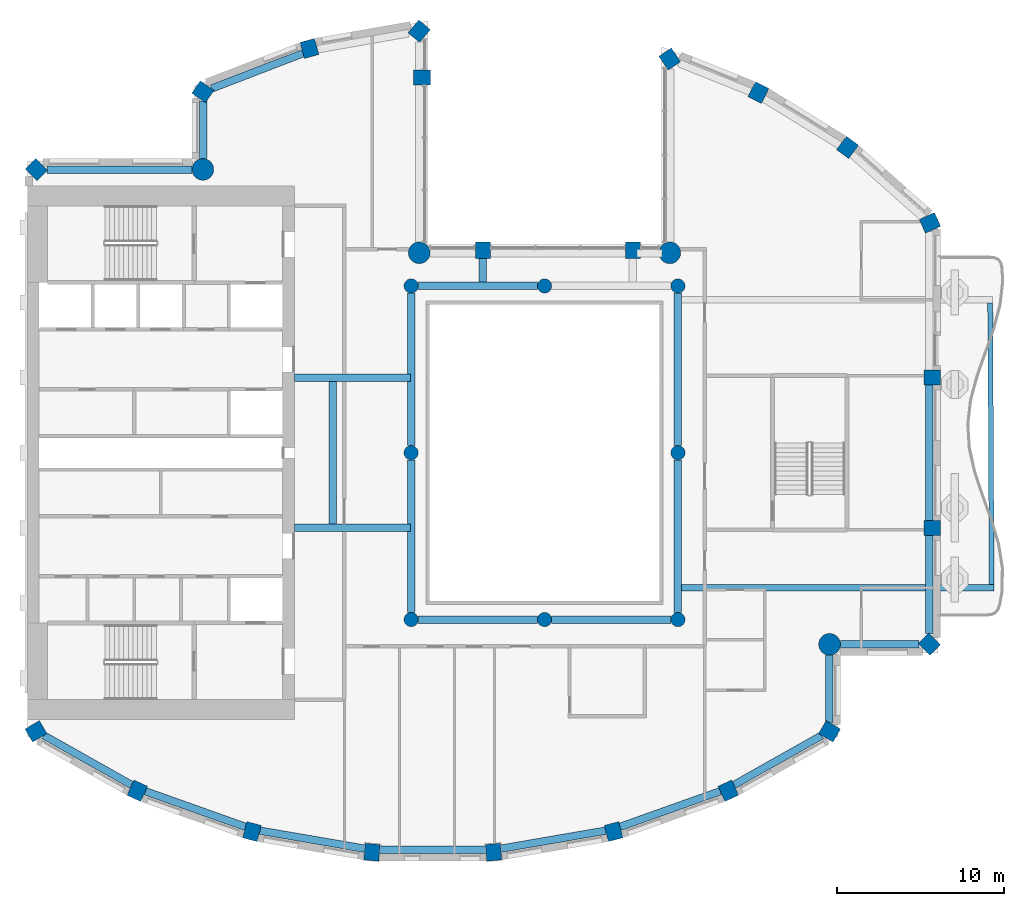
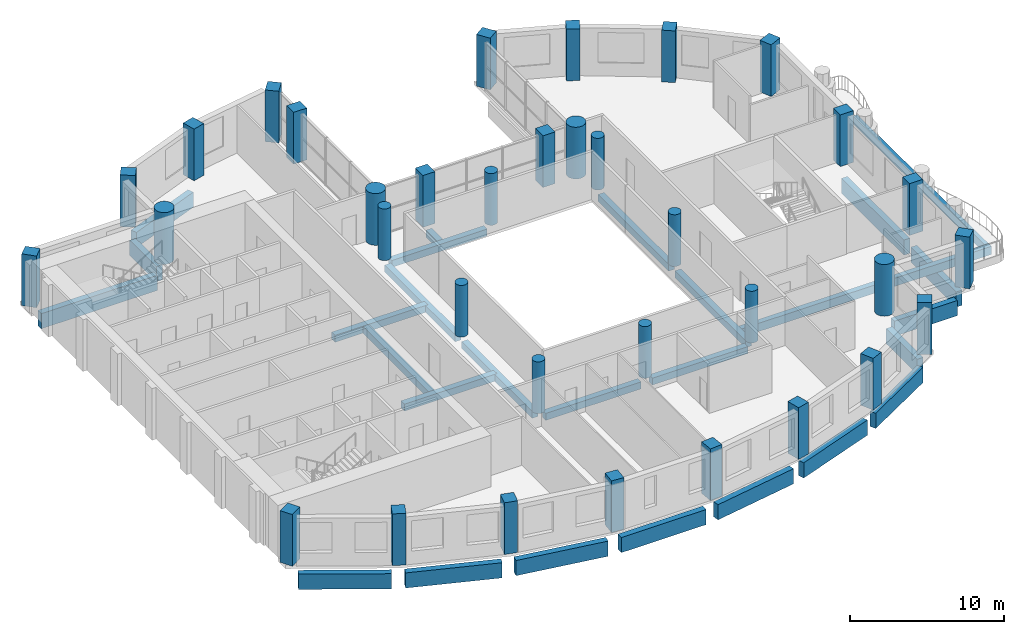
# One storey, part 1 of 15: 34 columns, 27 beams.
"""IFC4 building model written with IfcOpenShell, lengths in metres."""

from ifc_helpers import new_model, si_unit, direction, frame, origin, origin_2d, place, context, subcontext, project, spatial, rectangle, circle, extrude, material, material_profile, profile_set, type_object, element, save


model = new_model("IFC4")

# Units and contexts
model_context = context("Model", 3, precision=1e-05, world=origin(), true_north=direction((0.0, 1.0)))
body_context = subcontext(model_context, "Body", "Model", "MODEL_VIEW")
ifc_project = project(units=[si_unit("LENGTHUNIT", "METRE"), si_unit("AREAUNIT", "SQUARE_METRE"), si_unit("VOLUMEUNIT", "CUBIC_METRE"), si_unit("PLANEANGLEUNIT", "RADIAN"), si_unit("MASSUNIT", "GRAM", prefix="KILO")], contexts=[model_context])

# Site, building, storey
site_placement = place(None, origin())
site = spatial("IfcSite", under=ifc_project, at=site_placement, CompositionType="ELEMENT")
building_placement = place(site_placement, origin())
building = spatial("IfcBuilding", under=site, at=building_placement, Name="Cypress Arch Tower", CompositionType="ELEMENT")
storey_placement = place(building_placement, frame((0.0, 0.0, 292.60009765625)))
storey = spatial("IfcBuildingStorey", under=building, at=storey_placement, Name="L66", CompositionType="ELEMENT", Elevation=292.60009765625)

# Columns
ifc_material_1 = material(Name="Concrete C60/75", Category="concrete")
ifc_material_profile_1 = material_profile(ifc_material_1, rectangle(XDim=0.89990234375, YDim=1.0, at=origin_2d()), Name="RC 900x1000")
ifc_profile_set_1 = profile_set([ifc_material_profile_1], Name="Concrete C60/75")
column_type_1 = type_object("IfcColumnType", Name="Column RC 900x1000 Concrete C60/75", PredefinedType="COLUMN", material=ifc_profile_set_1)
for number, where, z_axis, x_axis, name in (
    (1, (8.5029296875, 23.606201171875, 0.0), (0.0, 0.0, 1.0), (-0.828469606019, -0.560034027451, 0.0), "Column L66 CC00"),
    (2, (6.300048828125, 12.14990234375, 0.0), (0.0, 0.0, 1.0), (-1.0, 0.0, 0.0), "Column L66 CC02"),
    (3, (-2.699951171875, 12.14990234375, 0.0), (0.0, 0.0, 1.0), (-1.0, 0.0, 0.0), "Column L66 CC03"),
    (4, (-6.35009765625, 22.5, 0.0), (0.0, 0.0, 1.0), (0.0, 1.0, 0.0), "Column L66 CC05"),
    (5, (-6.51611328125, 25.27490234375, 0.0), (0.0, 0.0, 1.0), (-0.766063514674, 0.642764880407, 0.0), "Column L66 CC06"),
    (6, (-13.0947265625, 24.241455078125, 0.0), (0.0, 0.0, 1.0), (-0.96345574646, -0.267867550506, 0.0), "Column L66 CC07"),
    (7, (-19.483154296875, 21.645263671875, 0.0), (0.0, 0.0, 1.0), (-0.565892599589, -0.824478966215, 0.0), "Column L66 CC08"),
    (8, (-29.478271484375, 16.978271484375, 0.0), (0.0, 0.0, 1.0), (-0.707106781187, -0.707106781187, 0.0), "Column L66 CC10"),
    (9, (-29.4912109375, -16.702880859375, 0.0), (0.0, 0.0, 1.0), (0.504399289829, -0.86347053014, 0.0), "Column L66 CC11"),
    (10, (-23.4189453125, -20.266845703125, 0.0), (0.0, 0.0, 1.0), (0.909932071487, -0.414757308891, 0.0), "Column L66 CC12"),
    (11, (-16.541748046875, -22.714599609375, 0.0), (0.0, 0.0, 1.0), (0.96735573689, -0.2534223319, 0.0), "Column L66 CC13"),
    (12, (-9.346923828125, -23.95361328125, 0.0), (0.0, 0.0, 1.0), (0.996368206733, -0.085149260784, 0.0), "Column L66 CC14"),
    (13, (-2.052978515625, -23.95361328125, 0.0), (0.0, 0.0, 1.0), (0.996368206733, 0.085149260784, 0.0), "Column L66 CC15"),
    (14, (5.1416015625, -22.714599609375, 0.0), (0.0, 0.0, 1.0), (0.96735573689, 0.2534223319, 0.0), "Column L66 CC16"),
    (15, (12.01904296875, -20.266845703125, 0.0), (0.0, 0.0, 1.0), (0.909932071487, 0.414757308891, 0.0), "Column L66 CC17"),
    (16, (18.09130859375, -16.702880859375, 0.0), (0.0, 0.0, 1.0), (0.504399289829, 0.86347053014, 0.0), "Column L66 CC18"),
    (17, (24.078369140625, -11.478271484375, 0.0), (0.0, 0.0, 1.0), (0.707106781187, 0.707106781187, 0.0), "Column L66 CC20"),
    (18, (24.25, -4.5, 0.0), (0.0, 0.0, 1.0), (0.0, 1.0, 0.0), "Column L66 CC21"),
    (19, (24.25, 4.5, 0.0), (0.0, 0.0, 1.0), (0.0, 1.0, 0.0), "Column L66 CC22"),
    (20, (24.109619140625, 13.77978515625, 0.0), (0.0, 0.0, 1.0), (-0.409765058504, 0.912191096662, 0.0), "Column L66 CC23"),
    (21, (19.168212890625, 18.307861328125, 0.0), (0.0, 0.0, 1.0), (-0.802798546114, 0.596250362144, 0.0), "Column L66 CC24"),
    (22, (13.82568359375, 21.59375, 0.0), (0.0, 0.0, 1.0), (-0.893106499805, 0.44984528452, 0.0), "Column L66 CC25"),
):
    element("IfcColumn", number, at=place(storey_placement, frame(where, z_axis=z_axis, x_axis=x_axis)), inside=storey, type_object=column_type_1, Name=name, PredefinedType="COLUMN", context=body_context, shape_type="SweptSolid", body=[
        extrude(rectangle(XDim=0.89990234375, YDim=1.0, at=origin_2d()), origin(), (0.0, 0.0, 1.0), 4.099853515625),
    ])
ifc_material_2 = material(Name="Concrete C60/75", Category="concrete")
ifc_material_profile_2 = material_profile(ifc_material_2, circle(Radius=0.425048828125, at=origin_2d()), Name="RC D850")
ifc_profile_set_2 = profile_set([ifc_material_profile_2], Name="Concrete C60/75")
column_type_2 = type_object("IfcColumnType", Name="Column RC D850 Concrete C60/75", PredefinedType="COLUMN", material=ifc_profile_set_2)
for number, where, z_axis, x_axis, name in (
    (23, (-7.0, -10.0, 0.0), (0.0, 0.0, 1.0), (1.0, 0.0, 0.0), "Column L66 RNG-L66-G-7-10"),
    (24, (-7.0, 0.0, 0.0), (0.0, 0.0, 1.0), (1.0, 0.0, 0.0), "Column L66 RNG-L66-G-7+0"),
    (25, (-7.0, 10.0, 0.0), (0.0, 0.0, 1.0), (1.0, 0.0, 0.0), "Column L66 RNG-L66-G-7+10"),
    (26, (1.0, -10.0, 0.0), (0.0, 0.0, 1.0), (1.0, 0.0, 0.0), "Column L66 RNG-L66-G+1-10"),
    (27, (1.0, 10.0, 0.0), (0.0, 0.0, 1.0), (1.0, 0.0, 0.0), "Column L66 RNG-L66-G+1+10"),
    (28, (9.0, -10.0, 0.0), (0.0, 0.0, 1.0), (1.0, 0.0, 0.0), "Column L66 RNG-L66-G+9-10"),
    (29, (9.0, 0.0, 0.0), (0.0, 0.0, 1.0), (1.0, 0.0, 0.0), "Column L66 RNG-L66-G+9+0"),
    (30, (9.0, 10.0, 0.0), (0.0, 0.0, 1.0), (1.0, 0.0, 0.0), "Column L66 RNG-L66-G+9+10"),
):
    element("IfcColumn", number, at=place(storey_placement, frame(where, z_axis=z_axis, x_axis=x_axis)), inside=storey, type_object=column_type_2, Name=name, PredefinedType="COLUMN", context=body_context, shape_type="SweptSolid", body=[
        extrude(circle(Radius=0.425048828125, at=origin_2d()), origin(), (0.0, 0.0, 1.0), 4.099853515625),
    ])
ifc_material_3 = material(Name="Concrete C60/75", Category="concrete")
ifc_material_profile_3 = material_profile(ifc_material_3, circle(Radius=0.64990234375, at=origin_2d()), Name="RC D1300")
ifc_profile_set_3 = profile_set([ifc_material_profile_3], Name="Concrete C60/75")
column_type_3 = type_object("IfcColumnType", Name="Mega-column RC D1300 Concrete C60/75", PredefinedType="COLUMN", material=ifc_profile_set_3)
for number, where, z_axis, x_axis, name in (
    (31, (8.51220703125, 11.98779296875, 0.0), (0.0, 0.0, 1.0), (1.0, 0.0, 0.0), "Column L66 CC01"),
    (32, (-6.51220703125, 11.98779296875, 0.0), (0.0, 0.0, 1.0), (1.0, 0.0, 0.0), "Column L66 CC04"),
    (33, (-19.48779296875, 16.98779296875, 0.0), (0.0, 0.0, 1.0), (1.0, 0.0, 0.0), "Column L66 CC09"),
    (34, (18.087890625, -11.48779296875, 0.0), (0.0, 0.0, 1.0), (1.0, 0.0, 0.0), "Column L66 CC19"),
):
    element("IfcColumn", number, at=place(storey_placement, frame(where, z_axis=z_axis, x_axis=x_axis)), inside=storey, type_object=column_type_3, Name=name, PredefinedType="COLUMN", context=body_context, shape_type="SweptSolid", body=[
        extrude(circle(Radius=0.64990234375, at=origin_2d()), origin(), (0.0, 0.0, 1.0), 4.099853515625),
    ])

# Beams
ifc_material_4 = material(Name="Concrete C50/60", Category="concrete")
ifc_material_profile_4 = material_profile(ifc_material_4, rectangle(XDim=0.300048828125, YDim=0.64990234375, at=origin_2d()), Name="RC 300x650")
ifc_profile_set_4 = profile_set([ifc_material_profile_4], Name="Concrete C50/60")
beam_type_1 = type_object("IfcBeamType", Name="Balcony edge beam RC 300x650 Concrete C50/60", PredefinedType="BEAM", material=ifc_profile_set_4)
beam_1_placement = place(storey_placement, frame((27.810302734375, -7.89990234375, -0.625), z_axis=(-0.005307151473, 0.999985916972, 0.0), x_axis=(-0.999985916972, -0.005307151473, 0.0)))
element("IfcBeam", 35, at=beam_1_placement, inside=storey, type_object=beam_type_1, Name="Balcony edge beam L66 C17", PredefinedType="BEAM", context=body_context, shape_type="SweptSolid", body=[
    extrude(rectangle(XDim=0.300048828125, YDim=0.64990234375, at=origin_2d()), origin(), (0.0, 0.0, 1.0), 16.8828125),
])
ifc_material_5 = material(Name="Concrete C50/60", Category="concrete")
ifc_material_profile_5 = material_profile(ifc_material_5, rectangle(XDim=0.39990234375, YDim=0.64990234375, at=origin_2d()), Name="RC 400x650")
ifc_profile_set_5 = profile_set([ifc_material_profile_5], Name="Concrete C50/60")
beam_type_2 = type_object("IfcBeamType", Name="Cantilever beam RC 400x650 Concrete C50/60", PredefinedType="BEAM", material=ifc_profile_set_5)
beam_2_placement = place(storey_placement, frame((9.22509765625, -8.10009765625, -0.625), z_axis=(1.0, 0.0, 0.0), x_axis=(0.0, 1.0, 0.0)))
element("IfcBeam", 36, at=beam_2_placement, inside=storey, type_object=beam_type_2, Name="Cantilever beam L66 C17 1", PredefinedType="BEAM", context=body_context, shape_type="SweptSolid", body=[
    extrude(rectangle(XDim=0.39990234375, YDim=0.64990234375, at=origin_2d()), origin(), (0.0, 0.0, 1.0), 18.7353515625),
])
ifc_material_6 = material(Name="Concrete C50/60", Category="concrete")
ifc_material_profile_6 = material_profile(ifc_material_6, rectangle(XDim=0.449951171875, YDim=0.550048828125, at=origin_2d()), Name="RC 450x550")
ifc_profile_set_6 = profile_set([ifc_material_profile_6], Name="Concrete C50/60")
beam_type_3 = type_object("IfcBeamType", Name="Floor beam RC 450x550 Concrete C50/60", PredefinedType="BEAM", material=ifc_profile_set_6)
for number, where, z_axis, x_axis, name in (
    (37, (-7.0, -9.574951171875, -0.5751953125), (0.0, 1.0, 0.0), (-1.0, 0.0, 0.0), "Floor beam L66 RB001"),
    (38, (-7.0, 0.425048828125, -0.5751953125), (0.0, 1.0, 0.0), (-1.0, 0.0, 0.0), "Floor beam L66 RB002"),
    (39, (9.0, -9.574951171875, -0.5751953125), (0.0, 1.0, 0.0), (-1.0, 0.0, 0.0), "Floor beam L66 RB003"),
    (40, (9.0, 0.425048828125, -0.5751953125), (0.0, 1.0, 0.0), (-1.0, 0.0, 0.0), "Floor beam L66 RB004"),
):
    element("IfcBeam", number, at=place(storey_placement, frame(where, z_axis=z_axis, x_axis=x_axis)), inside=storey, type_object=beam_type_3, Name=name, PredefinedType="BEAM", context=body_context, shape_type="SweptSolid", body=[
        extrude(rectangle(XDim=0.449951171875, YDim=0.550048828125, at=origin_2d()), origin(), (0.0, 0.0, 1.0), 9.14990234375),
    ])
for number, where, z_axis, x_axis, name in (
    (41, (-6.574951171875, -10.0, -0.5751953125), (1.0, 0.0, 0.0), (0.0, 1.0, 0.0), "Floor beam L66 RB005"),
    (42, (1.425048828125, -10.0, -0.5751953125), (1.0, 0.0, 0.0), (0.0, 1.0, 0.0), "Floor beam L66 RB006"),
    (43, (-6.574951171875, 10.0, -0.5751953125), (1.0, 0.0, 0.0), (0.0, 1.0, 0.0), "Floor beam L66 RB007"),
):
    element("IfcBeam", number, at=place(storey_placement, frame(where, z_axis=z_axis, x_axis=x_axis)), inside=storey, type_object=beam_type_3, Name=name, PredefinedType="BEAM", context=body_context, shape_type="SweptSolid", body=[
        extrude(rectangle(XDim=0.449951171875, YDim=0.550048828125, at=origin_2d()), origin(), (0.0, 0.0, 1.0), 7.14990234375),
    ])
for number, where, z_axis, x_axis, name in (
    (44, (-14.0, -4.5, -0.5751953125), (1.0, 0.0, 0.0), (0.0, 1.0, 0.0), "Floor beam L66 FB009"),
    (45, (-14.0, 4.5, -0.5751953125), (1.0, 0.0, 0.0), (0.0, 1.0, 0.0), "Floor beam L66 FB010"),
):
    element("IfcBeam", number, at=place(storey_placement, frame(where, z_axis=z_axis, x_axis=x_axis)), inside=storey, type_object=beam_type_3, Name=name, PredefinedType="BEAM", context=body_context, shape_type="SweptSolid", body=[
        extrude(rectangle(XDim=0.449951171875, YDim=0.550048828125, at=origin_2d()), origin(), (0.0, 0.0, 1.0), 6.949951171875),
    ])
beam_3_placement = place(storey_placement, frame((-11.699951171875, -4.27490234375, -0.5751953125), z_axis=(0.0, 1.0, 0.0), x_axis=(-1.0, 0.0, 0.0)))
element("IfcBeam", 46, at=beam_3_placement, inside=storey, type_object=beam_type_3, Name="Floor beam L66 FB011", PredefinedType="BEAM", context=body_context, shape_type="SweptSolid", body=[
    extrude(rectangle(XDim=0.449951171875, YDim=0.550048828125, at=origin_2d()), origin(), (0.0, 0.0, 1.0), 8.5498046875),
])
beam_4_placement = place(storey_placement, frame((-2.699951171875, 10.22509765625, -0.5751953125), z_axis=(0.0, 1.0, 0.0), x_axis=(-1.0, 0.0, 0.0)))
element("IfcBeam", 47, at=beam_4_placement, inside=storey, type_object=beam_type_3, Name="Floor beam L66 FB012", PredefinedType="BEAM", context=body_context, shape_type="SweptSolid", body=[
    extrude(rectangle(XDim=0.449951171875, YDim=0.550048828125, at=origin_2d()), origin(), (0.0, 0.0, 1.0), 1.4248046875),
])
ifc_material_7 = material(Name="Concrete C50/60", Category="concrete")
ifc_material_profile_7 = material_profile(ifc_material_7, rectangle(XDim=0.449951171875, YDim=1.199951171875, at=origin_2d()), Name="RC 450x1200")
ifc_profile_set_7 = profile_set([ifc_material_profile_7], Name="Concrete C50/60")
beam_type_4 = type_object("IfcBeamType", Name="Spandrel beam RC 450x1200 Concrete C50/60", PredefinedType="SPANDREL", material=ifc_profile_set_7)
beam_5_placement = place(storey_placement, frame((-13.48046875, 23.94921875, -1.550048828125), z_axis=(-0.933138853319, -0.359516175472, 0.0), x_axis=(0.359516175472, -0.933138853319, 0.0)))
element("IfcBeam", 48, at=beam_5_placement, inside=storey, type_object=beam_type_4, Name="Spandrel beam L66 BC04-0", PredefinedType="SPANDREL", context=body_context, shape_type="SweptSolid", body=[
    extrude(rectangle(XDim=0.449951171875, YDim=1.199951171875, at=origin_2d()), origin(), (0.0, 0.0, 1.0), 5.878173828125),
])
beam_6_placement = place(storey_placement, frame((-19.47509765625, 21.09375, -1.550048828125), z_axis=(0.0, -1.0, 0.0), x_axis=(1.0, 0.0, 0.0)))
element("IfcBeam", 49, at=beam_6_placement, inside=storey, type_object=beam_type_4, Name="Spandrel beam L66 BC05-0", PredefinedType="SPANDREL", context=body_context, shape_type="SweptSolid", body=[
    extrude(rectangle(XDim=0.449951171875, YDim=1.199951171875, at=origin_2d()), origin(), (0.0, 0.0, 1.0), 3.456298828125),
])
beam_7_placement = place(storey_placement, frame((-20.137451171875, 16.97509765625, -1.550048828125), z_axis=(-1.0, 0.0, 0.0), x_axis=(0.0, -1.0, 0.0)))
element("IfcBeam", 50, at=beam_7_placement, inside=storey, type_object=beam_type_4, Name="Spandrel beam L66 BC06-0", PredefinedType="SPANDREL", context=body_context, shape_type="SweptSolid", body=[
    extrude(rectangle(XDim=0.449951171875, YDim=1.199951171875, at=origin_2d()), origin(), (0.0, 0.0, 1.0), 8.701171875),
])
beam_8_placement = place(storey_placement, frame((-29.02099609375, -16.94921875, -1.550048828125), z_axis=(0.871059543975, -0.491177433165, 0.0), x_axis=(0.491177433165, 0.871059543975, 0.0)))
element("IfcBeam", 51, at=beam_8_placement, inside=storey, type_object=beam_type_4, Name="Spandrel beam L66 BC08-0", PredefinedType="SPANDREL", context=body_context, shape_type="SweptSolid", body=[
    extrude(rectangle(XDim=0.449951171875, YDim=1.199951171875, at=origin_2d()), origin(), (0.0, 0.0, 1.0), 6.045654296875),
])
beam_9_placement = place(storey_placement, frame((-22.93603515625, -20.2919921875, -1.550048828125), z_axis=(0.942120065582, -0.33527568064, 0.0), x_axis=(0.33527568064, 0.942120065582, 0.0)))
element("IfcBeam", 52, at=beam_9_placement, inside=storey, type_object=beam_type_4, Name="Spandrel beam L66 BC09-0", PredefinedType="SPANDREL", context=body_context, shape_type="SweptSolid", body=[
    extrude(rectangle(XDim=0.449951171875, YDim=1.199951171875, at=origin_2d()), origin(), (0.0, 0.0, 1.0), 6.373046875),
])
beam_10_placement = place(storey_placement, frame((-16.061279296875, -22.656982421875, -1.550048828125), z_axis=(0.985502990778, -0.169658053646, 0.0), x_axis=(0.169658053646, 0.985502990778, 0.0)))
element("IfcBeam", 53, at=beam_10_placement, inside=storey, type_object=beam_type_4, Name="Spandrel beam L66 BC10-0", PredefinedType="SPANDREL", context=body_context, shape_type="SweptSolid", body=[
    extrude(rectangle(XDim=0.449951171875, YDim=1.199951171875, at=origin_2d()), origin(), (0.0, 0.0, 1.0), 6.373291015625),
])
beam_11_placement = place(storey_placement, frame((-8.883544921875, -23.81494140625, -1.550048828125), z_axis=(1.0, 0.0, 0.0), x_axis=(0.0, 1.0, 0.0)))
element("IfcBeam", 54, at=beam_11_placement, inside=storey, type_object=beam_type_4, Name="Spandrel beam L66 BC11-0", PredefinedType="SPANDREL", context=body_context, shape_type="SweptSolid", body=[
    extrude(rectangle(XDim=0.449951171875, YDim=1.199951171875, at=origin_2d()), origin(), (0.0, 0.0, 1.0), 6.366943359375),
])
beam_12_placement = place(storey_placement, frame((-1.619873046875, -23.73828125, -1.550048828125), z_axis=(0.985504093315, 0.169651649149, 0.0), x_axis=(-0.169651649149, 0.985504093315, 0.0)))
element("IfcBeam", 55, at=beam_12_placement, inside=storey, type_object=beam_type_4, Name="Spandrel beam L66 BC12-0", PredefinedType="SPANDREL", context=body_context, shape_type="SweptSolid", body=[
    extrude(rectangle(XDim=0.449951171875, YDim=1.199951171875, at=origin_2d()), origin(), (0.0, 0.0, 1.0), 6.37353515625),
])
beam_13_placement = place(storey_placement, frame((5.531982421875, -22.4287109375, -1.550048828125), z_axis=(0.942115759102, 0.335287781541, 0.0), x_axis=(-0.335287781541, 0.942115759102, 0.0)))
element("IfcBeam", 56, at=beam_13_placement, inside=storey, type_object=beam_type_4, Name="Spandrel beam L66 BC13-0", PredefinedType="SPANDREL", context=body_context, shape_type="SweptSolid", body=[
    extrude(rectangle(XDim=0.449951171875, YDim=1.199951171875, at=origin_2d()), origin(), (0.0, 0.0, 1.0), 6.372802734375),
])
beam_14_placement = place(storey_placement, frame((12.35498046875, -19.918701171875, -1.550048828125), z_axis=(0.871059543975, 0.491177433165, 0.0), x_axis=(-0.491177433165, 0.871059543975, 0.0)))
element("IfcBeam", 57, at=beam_14_placement, inside=storey, type_object=beam_type_4, Name="Spandrel beam L66 BC14-0", PredefinedType="SPANDREL", context=body_context, shape_type="SweptSolid", body=[
    extrude(rectangle(XDim=0.449951171875, YDim=1.199951171875, at=origin_2d()), origin(), (0.0, 0.0, 1.0), 6.045654296875),
])
beam_15_placement = place(storey_placement, frame((18.074951171875, -16.172119140625, -1.550048828125), z_axis=(0.0, 1.0, 0.0), x_axis=(-1.0, 0.0, 0.0)))
element("IfcBeam", 58, at=beam_15_placement, inside=storey, type_object=beam_type_4, Name="Spandrel beam L66 BC15-0", PredefinedType="SPANDREL", context=body_context, shape_type="SweptSolid", body=[
    extrude(rectangle(XDim=0.449951171875, YDim=1.199951171875, at=origin_2d()), origin(), (0.0, 0.0, 1.0), 4.03466796875),
])
beam_16_placement = place(storey_placement, frame((18.737548828125, -11.47509765625, -1.550048828125), z_axis=(1.0, 0.0, 0.0), x_axis=(0.0, 1.0, 0.0)))
element("IfcBeam", 59, at=beam_16_placement, inside=storey, type_object=beam_type_4, Name="Spandrel beam L66 BC16-0", PredefinedType="SPANDREL", context=body_context, shape_type="SweptSolid", body=[
    extrude(rectangle(XDim=0.449951171875, YDim=1.199951171875, at=origin_2d()), origin(), (0.0, 0.0, 1.0), 4.701171875),
])
beam_17_placement = place(storey_placement, frame((24.074951171875, -10.838623046875, -1.550048828125), z_axis=(0.0, 1.0, 0.0), x_axis=(-1.0, 0.0, 0.0)))
element("IfcBeam", 60, at=beam_17_placement, inside=storey, type_object=beam_type_4, Name="Spandrel beam L66 BC17-0", PredefinedType="SPANDREL", context=body_context, shape_type="SweptSolid", body=[
    extrude(rectangle(XDim=0.449951171875, YDim=1.199951171875, at=origin_2d()), origin(), (0.0, 0.0, 1.0), 5.888671875),
])
beam_18_placement = place(storey_placement, frame((24.074951171875, -4.050048828125, -1.550048828125), z_axis=(0.0, 1.0, 0.0), x_axis=(-1.0, 0.0, 0.0)))
element("IfcBeam", 61, at=beam_18_placement, inside=storey, type_object=beam_type_4, Name="Spandrel beam L66 BC17-1", PredefinedType="SPANDREL", context=body_context, shape_type="SweptSolid", body=[
    extrude(rectangle(XDim=0.449951171875, YDim=1.199951171875, at=origin_2d()), origin(), (0.0, 0.0, 1.0), 8.10009765625),
])

save(model, "model.ifc")
